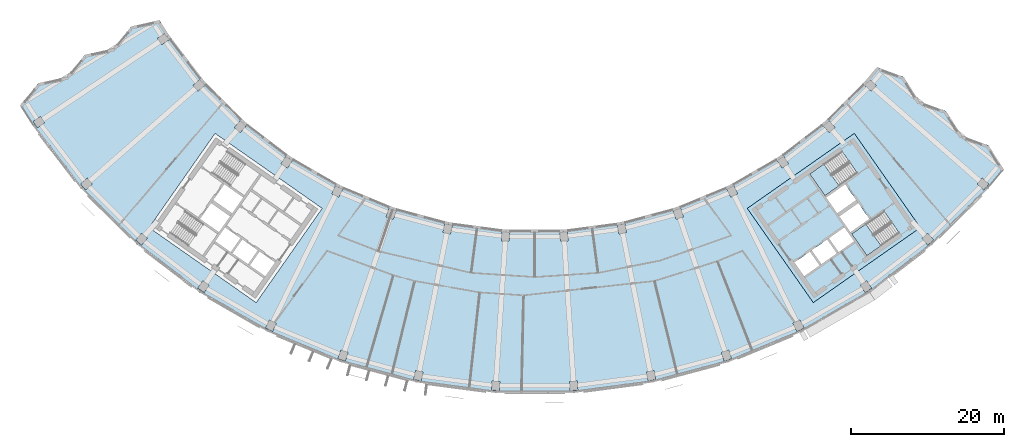
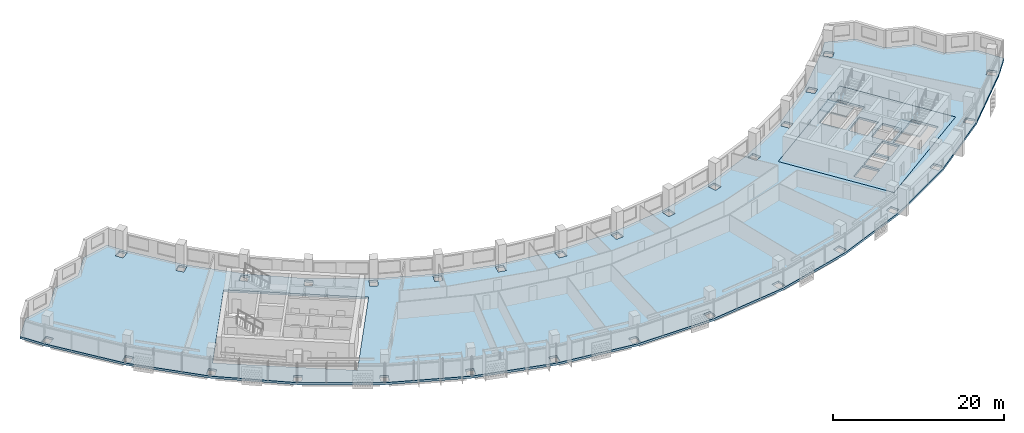
# One storey, part 2 of 27: 4 slabs, 2 elements without a shape of their own.
"""IFC4 building model written with IfcOpenShell, lengths in metres."""

from ifc_helpers import new_model, si_unit, direction, frame, origin, place, context, subcontext, project, spatial, polyline, outline, extrude, material, layer, layer_set, type_object, element, aggregate, save


model = new_model("IFC4")

# Units and contexts
model_context = context("Model", 3, precision=1e-05, world=origin(), true_north=direction((0.0, 1.0)))
body_context = subcontext(model_context, "Body", "Model", "MODEL_VIEW")
ifc_project = project(units=[si_unit("LENGTHUNIT", "METRE"), si_unit("AREAUNIT", "SQUARE_METRE"), si_unit("VOLUMEUNIT", "CUBIC_METRE"), si_unit("PLANEANGLEUNIT", "RADIAN"), si_unit("MASSUNIT", "GRAM", prefix="KILO")], contexts=[model_context])

# Site, building, storey
site_placement = place(None, origin())
site = spatial("IfcSite", under=ifc_project, at=site_placement, CompositionType="ELEMENT")
building_placement = place(site_placement, origin())
building = spatial("IfcBuilding", under=site, at=building_placement, Name="Qamariyya Broadcast Tower", CompositionType="ELEMENT")
storey_placement = place(building_placement, frame((0.0, 0.0, 237.89990234375)))
storey = spatial("IfcBuildingStorey", under=building, at=storey_placement, Name="L57", CompositionType="ELEMENT", Elevation=237.89990234375)

# Slabs
ifc_material_1 = material(Name="Concrete C40/50", Category="concrete")
ifc_layer_1 = layer(ifc_material_1, 0.300048828125)
ifc_layer_set_1 = layer_set([ifc_layer_1], Name="Core floor slab 300 mm Concrete C40/50")
slab_type_1 = type_object("IfcSlabType", Name="Core floor slab 300 mm Concrete C40/50", PredefinedType="FLOOR", material=ifc_layer_set_1)
slab_1_placement = place(storey_placement, frame((0.0, 0.0, -0.2998046875)))
element("IfcSlab", 1, at=slab_1_placement, inside=storey, type_object=slab_type_1, Name="k-E-L57-slab", PredefinedType="FLOOR", context=body_context, shape_type="SweptSolid", body=[
    extrude(outline(polyline([(36.32373046875, -66.734375), (50.286376953125, -56.95751953125), (41.6826171875, -44.67041015625), (27.719970703125, -54.447021484375), (36.32373046875, -66.734375)]), holes=[polyline([(33.87353515625, -61.49169921875), (35.88037109375, -60.08642578125), (37.142333984375, -61.888427734375), (35.13525390625, -63.293701171875), (33.87353515625, -61.49169921875)]), polyline([(36.126220703125, -59.914306640625), (38.133056640625, -58.509033203125), (39.394775390625, -60.311279296875), (37.387939453125, -61.716552734375), (36.126220703125, -59.914306640625)]), polyline([(38.378662109375, -58.3369140625), (40.3857421875, -56.931640625), (41.6474609375, -58.73388671875), (39.640625, -60.13916015625), (38.378662109375, -58.3369140625)]), polyline([(39.742431640625, -55.489990234375), (42.199951171875, -53.769287109375), (43.6337890625, -55.817138671875), (41.17626953125, -57.537841796875), (39.742431640625, -55.489990234375)]), polyline([(39.45556640625, -55.080322265625), (41.9130859375, -53.359619140625), (40.47900390625, -51.311767578125), (38.021728515625, -53.032470703125), (39.45556640625, -55.080322265625)]), polyline([(40.082275390625, -47.01171875), (35.870849609375, -49.960693359375), (37.849609375, -52.78662109375), (42.06103515625, -49.837890625), (40.082275390625, -47.01171875)]), polyline([(45.559814453125, -54.834716796875), (41.348388671875, -57.783447265625), (43.3271484375, -60.609619140625), (47.538818359375, -57.66064453125), (45.559814453125, -54.834716796875)])]), origin(), (0.0, 0.0, 1.0), 0.2998046875),
])
ifc_layer_2 = layer(ifc_material_1, 0.300048828125)
ifc_layer_set_2 = layer_set([ifc_layer_2], Name="Post-tensioned floor slab 300 C40/50")
slab_type_2 = type_object("IfcSlabType", Name="Post-tensioned floor slab 300 C40/50", PredefinedType="FLOOR", material=ifc_layer_set_2)
slab_2_placement = place(storey_placement, frame((0.0, 0.0, -0.2998046875)))
element("IfcSlab", 2, at=slab_2_placement, inside=storey, type_object=slab_type_2, Name="Floor slab S4 L57", PredefinedType="FLOOR", context=body_context, shape_type="SweptSolid", body=[
    extrude(outline(polyline([(-64.71044921875, -38.11279296875), (-67.122802734375, -40.991943359375), (-65.39501953125, -43.695556640625), (-59.132080078125, -51.857666015625), (-51.857666015625, -59.132080078125), (-43.695556640625, -65.39501953125), (-34.785888671875, -70.5390625), (-25.28125, -74.47607421875), (-15.34375, -77.138671875), (-5.14404296875, -78.481689453125), (5.14404296875, -78.481689453125), (15.34375, -77.138671875), (25.28125, -74.47607421875), (34.785888671875, -70.5390625), (43.695556640625, -65.39501953125), (51.857666015625, -59.132080078125), (59.132080078125, -51.857666015625), (61.197998046875, -49.402587890625), (59.18212890625, -46.233154296875), (55.673583984375, -44.94287109375), (53.65673828125, -41.772705078125), (50.14892578125, -40.483154296875), (48.131103515625, -37.312255859375), (44.624267578125, -36.0234375), (43.117919921875, -37.8134765625), (37.8134765625, -43.117919921875), (31.862060546875, -47.684814453125), (25.365234375, -51.435546875), (18.4345703125, -54.306396484375), (11.1884765625, -56.248046875), (3.7509765625, -57.227294921875), (-3.7509765625, -57.227294921875), (-11.1884765625, -56.248046875), (-18.4345703125, -54.306396484375), (-25.365234375, -51.435546875), (-31.862060546875, -47.684814453125), (-37.8134765625, -43.117919921875), (-43.117919921875, -37.8134765625), (-47.684814453125, -31.862060546875), (-48.944580078125, -29.890625), (-52.589599609375, -30.710693359375), (-55.00390625, -33.591064453125), (-58.650146484375, -34.41162109375), (-61.0634765625, -37.29150390625), (-64.71044921875, -38.11279296875)]), holes=[polyline([(-5.62158203125, -78.12451171875), (-5.54638671875, -76.97705078125), (-4.548583984375, -77.04248046875), (-4.623779296875, -78.18994140625), (-5.62158203125, -78.12451171875)]), polyline([(-15.770751953125, -76.722412109375), (-15.54638671875, -75.594482421875), (-14.565673828125, -75.78955078125), (-14.7900390625, -76.91748046875), (-15.770751953125, -76.722412109375)]), polyline([(-25.650146484375, -74.007568359375), (-25.280517578125, -72.918701171875), (-24.333740234375, -73.239990234375), (-24.703369140625, -74.3291015625), (-25.650146484375, -74.007568359375)]), polyline([(-35.090576171875, -70.0263671875), (-34.58203125, -68.9951171875), (-33.685302734375, -69.437255859375), (-34.19384765625, -70.46875), (-35.090576171875, -70.0263671875)]), polyline([(-43.9306640625, -64.84716796875), (-43.291748046875, -63.890869140625), (-42.46044921875, -64.446533203125), (-43.099365234375, -65.402587890625), (-43.9306640625, -64.84716796875)]), polyline([(-52.019287109375, -58.55810546875), (-51.260986328125, -57.693603515625), (-50.509033203125, -58.35302734375), (-51.267333984375, -59.217529296875), (-52.019287109375, -58.55810546875)]), polyline([(-11.966552734375, -57.59716796875), (-11.7421875, -56.46923828125), (-10.761474609375, -56.664306640625), (-10.98583984375, -57.792236328125), (-11.966552734375, -57.59716796875)]), polyline([(-50.286376953125, -56.95751953125), (-41.6826171875, -44.67041015625), (-27.719970703125, -54.447021484375), (-36.32373046875, -66.734375), (-50.286376953125, -56.95751953125)]), polyline([(-19.382080078125, -55.54248046875), (-19.012451171875, -54.453369140625), (-18.065673828125, -54.77490234375), (-18.435302734375, -55.86376953125), (-19.382080078125, -55.54248046875)]), polyline([(-26.466064453125, -52.537353515625), (-25.95751953125, -51.506103515625), (-25.060546875, -51.9482421875), (-25.569091796875, -52.979736328125), (-26.466064453125, -52.537353515625)]), polyline([(-59.217529296875, -51.267333984375), (-58.35302734375, -50.509033203125), (-57.693603515625, -51.260986328125), (-58.55810546875, -52.019287109375), (-59.217529296875, -51.267333984375)]), polyline([(-33.09716796875, -48.63330078125), (-32.458251953125, -47.67724609375), (-31.626708984375, -48.23291015625), (-32.265625, -49.18896484375), (-33.09716796875, -48.63330078125)]), polyline([(-39.161865234375, -43.897216796875), (-38.40380859375, -43.03271484375), (-37.65185546875, -43.692138671875), (-38.41015625, -44.556640625), (-39.161865234375, -43.897216796875)]), polyline([(-65.402587890625, -43.099365234375), (-64.446533203125, -42.46044921875), (-63.890869140625, -43.291748046875), (-64.84716796875, -43.9306640625), (-65.402587890625, -43.099365234375)]), polyline([(-44.556640625, -38.41015625), (-43.692138671875, -37.65185546875), (-43.03271484375, -38.40380859375), (-43.897216796875, -39.161865234375), (-44.556640625, -38.41015625)]), polyline([(-49.18896484375, -32.265625), (-48.23291015625, -31.626708984375), (-47.67724609375, -32.458251953125), (-48.63330078125, -33.09716796875), (-49.18896484375, -32.265625)]), polyline([(4.623779296875, -78.18994140625), (4.548583984375, -77.04248046875), (5.54638671875, -76.97705078125), (5.62158203125, -78.12451171875), (4.623779296875, -78.18994140625)]), polyline([(14.7900390625, -76.91748046875), (14.565673828125, -75.78955078125), (15.54638671875, -75.594482421875), (15.770751953125, -76.722412109375), (14.7900390625, -76.91748046875)]), polyline([(24.703369140625, -74.3291015625), (24.333740234375, -73.239990234375), (25.280517578125, -72.918701171875), (25.650146484375, -74.007568359375), (24.703369140625, -74.3291015625)]), polyline([(34.19384765625, -70.46875), (33.685302734375, -69.437255859375), (34.58203125, -68.9951171875), (35.090576171875, -70.0263671875), (34.19384765625, -70.46875)]), polyline([(43.099365234375, -65.402587890625), (42.46044921875, -64.446533203125), (43.291748046875, -63.890869140625), (43.9306640625, -64.84716796875), (43.099365234375, -65.402587890625)]), polyline([(51.267333984375, -59.217529296875), (50.509033203125, -58.35302734375), (51.260986328125, -57.693603515625), (52.019287109375, -58.55810546875), (51.267333984375, -59.217529296875)]), polyline([(-4.34619140625, -58.666259765625), (-4.27099609375, -57.518798828125), (-3.273193359375, -57.584228515625), (-3.348388671875, -58.731689453125), (-4.34619140625, -58.666259765625)]), polyline([(3.348388671875, -58.731689453125), (3.273193359375, -57.584228515625), (4.27099609375, -57.518798828125), (4.34619140625, -58.666259765625), (3.348388671875, -58.731689453125)]), polyline([(10.98583984375, -57.792236328125), (10.761474609375, -56.664306640625), (11.7421875, -56.46923828125), (11.966552734375, -57.59716796875), (10.98583984375, -57.792236328125)]), polyline([(36.32373046875, -66.734375), (27.719970703125, -54.447021484375), (41.6826171875, -44.67041015625), (50.286376953125, -56.95751953125), (36.32373046875, -66.734375)]), polyline([(18.435302734375, -55.86376953125), (18.065673828125, -54.77490234375), (19.012451171875, -54.453369140625), (19.382080078125, -55.54248046875), (18.435302734375, -55.86376953125)]), polyline([(25.569091796875, -52.979736328125), (25.060546875, -51.9482421875), (25.95751953125, -51.506103515625), (26.466064453125, -52.537353515625), (25.569091796875, -52.979736328125)]), polyline([(58.55810546875, -52.019287109375), (57.693603515625, -51.260986328125), (58.35302734375, -50.509033203125), (59.217529296875, -51.267333984375), (58.55810546875, -52.019287109375)]), polyline([(32.265625, -49.18896484375), (31.626708984375, -48.23291015625), (32.458251953125, -47.67724609375), (33.09716796875, -48.63330078125), (32.265625, -49.18896484375)]), polyline([(38.41015625, -44.556640625), (37.65185546875, -43.692138671875), (38.40380859375, -43.03271484375), (39.161865234375, -43.897216796875), (38.41015625, -44.556640625)]), polyline([(43.897216796875, -39.161865234375), (43.03271484375, -38.40380859375), (43.692138671875, -37.65185546875), (44.556640625, -38.41015625), (43.897216796875, -39.161865234375)])]), origin(), (0.0, 0.0, 1.0), 0.2998046875),
])

# Stair, slab
ifc_material_2 = material(Name="Concrete C50/60", Category="concrete")
stair_type = type_object("IfcStairType", Name="Exit stair 22 risers of 173 mm", PredefinedType="HALF_TURN_STAIR", material=ifc_material_2)
stair_1_placement = place(storey_placement, origin())
stair_1 = element("IfcStair", 3, at=stair_1_placement, inside=storey, type_object=stair_type, Name="L57 Stair E2", PredefinedType="HALF_TURN_STAIR")
ifc_layer_3 = layer(ifc_material_2, 0.199951171875)
ifc_layer_set_3 = layer_set([ifc_layer_3], Name="Stair landing")
slab_type_3 = type_object("IfcSlabType", Name="Stair landing", PredefinedType="LANDING", material=ifc_layer_set_3)
slab_3_placement = place(storey_placement, frame((0.0, 0.0, 1.7001953125)))
slab_3 = element("IfcSlab", 4, at=slab_3_placement, type_object=slab_type_3, Name="ST-E2 landing 1", PredefinedType="LANDING", context=body_context, shape_type="SweptSolid", body=[
    extrude(outline(polyline([(37.71337890625, -48.67041015625), (35.870849609375, -49.960693359375), (37.849609375, -52.78662109375), (39.692138671875, -51.49658203125), (37.71337890625, -48.67041015625)])), origin(), (0.0, 0.0, 1.0), 0.199951171875),
])
aggregate(stair_1, [slab_3])

stair_2_placement = place(storey_placement, origin())
stair_2 = element("IfcStair", 5, at=stair_2_placement, inside=storey, type_object=stair_type, Name="L57 Stair E1", PredefinedType="HALF_TURN_STAIR")
slab_4_placement = place(storey_placement, frame((0.0, 0.0, 1.7001953125)))
slab_4 = element("IfcSlab", 6, at=slab_4_placement, type_object=slab_type_3, Name="ST-E1 landing 1", PredefinedType="LANDING", context=body_context, shape_type="SweptSolid", body=[
    extrude(outline(polyline([(43.19091796875, -56.493408203125), (41.348388671875, -57.783447265625), (43.3271484375, -60.609619140625), (45.169677734375, -59.319580078125), (43.19091796875, -56.493408203125)])), origin(), (0.0, 0.0, 1.0), 0.199951171875),
])
aggregate(stair_2, [slab_4])

save(model, "model.ifc")
